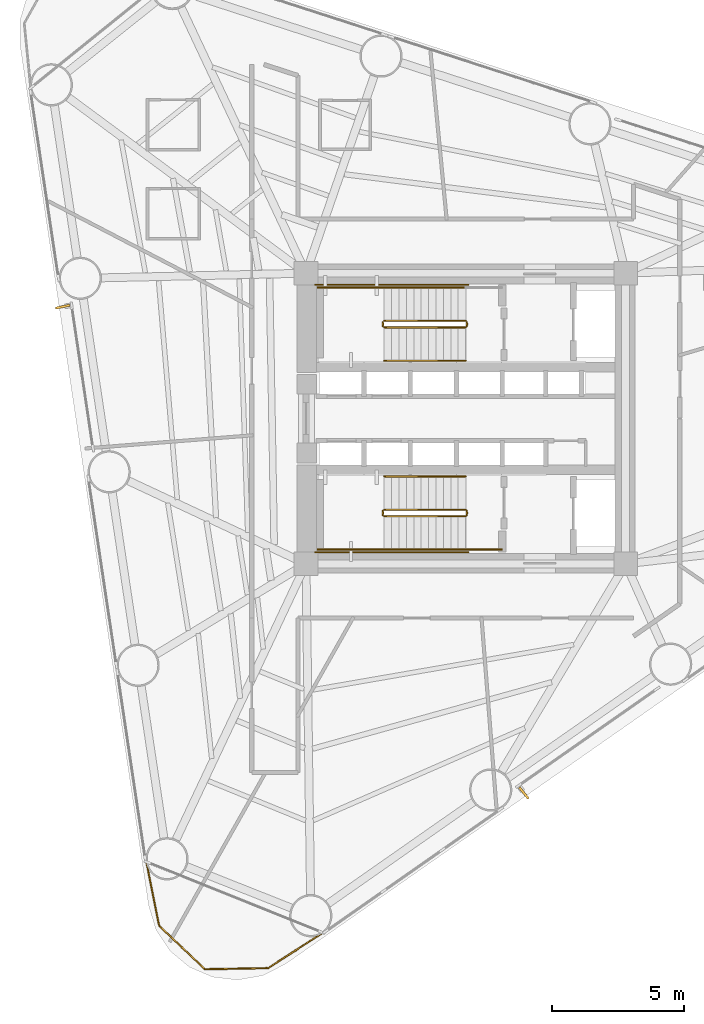
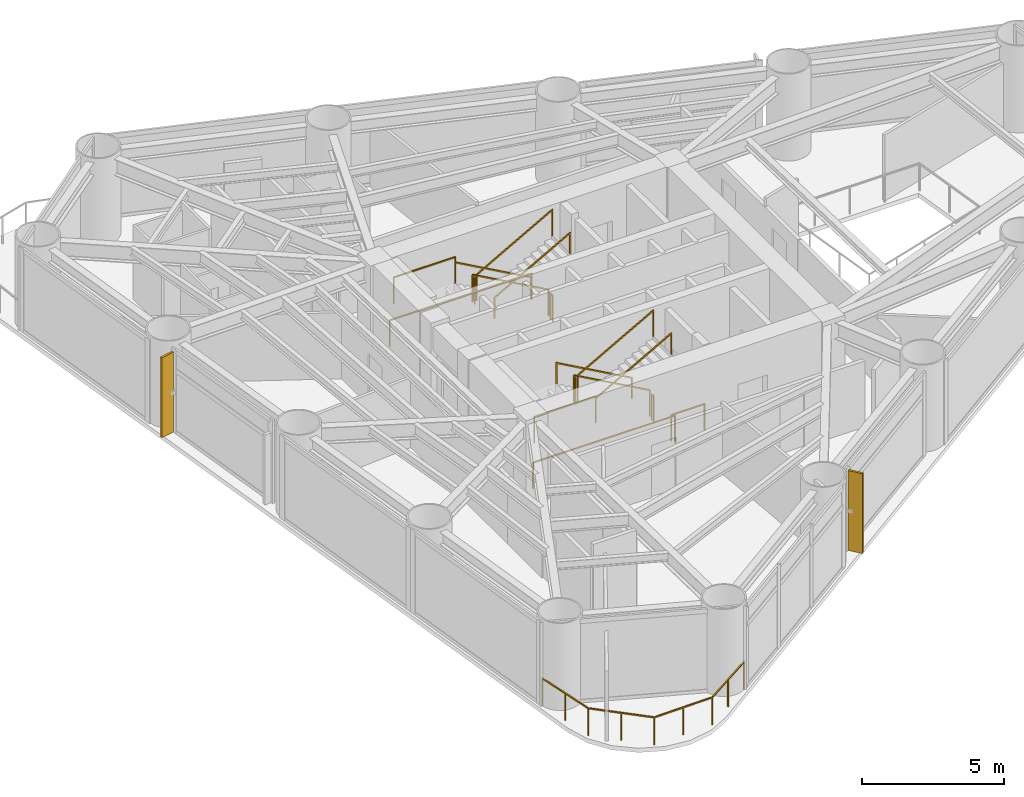
# One storey, part 8 of 9: 18 railings, 2 shading devices.
"""IFC4 building model written with IfcOpenShell, lengths in metres."""

from ifc_helpers import new_model, si_unit, direction, frame, origin, origin_2d, place, context, subcontext, project, spatial, rectangle, extrude, source, transform, mapped, material, material_profile, profile_set, type_object, element, save


model = new_model("IFC4")

# Units and contexts
model_context = context("Model", 3, precision=1e-05, world=origin(), true_north=direction((0.0, 1.0)))
body_context = subcontext(model_context, "Body", "Model", "MODEL_VIEW")
ifc_project = project(units=[si_unit("LENGTHUNIT", "METRE"), si_unit("AREAUNIT", "SQUARE_METRE"), si_unit("VOLUMEUNIT", "CUBIC_METRE"), si_unit("PLANEANGLEUNIT", "RADIAN"), si_unit("MASSUNIT", "GRAM", prefix="KILO")], contexts=[model_context])

# Site, building, storey
site_placement = place(None, origin())
site = spatial("IfcSite", under=ifc_project, at=site_placement, CompositionType="ELEMENT")
building_placement = place(site_placement, origin())
building = spatial("IfcBuilding", under=site, at=building_placement, Name="Yunling Apex Tower", CompositionType="ELEMENT")
storey_placement = place(building_placement, frame((0.0, 0.0, 69.800048828125)))
storey = spatial("IfcBuildingStorey", under=building, at=storey_placement, Name="L18", CompositionType="ELEMENT", Elevation=69.800048828125)

# Railings
ifc_material_1 = material(Name="Bronze anodised aluminium", Category="aluminium")
railing_type_1 = type_object("IfcRailingType", Name="RL-BAL-1200", PredefinedType="BALUSTRADE", material=ifc_material_1)
railing_1_placement = place(storey_placement, frame((-5.41552734375, -19.466796875, 0.0)))
element("IfcRailing", 1, at=railing_1_placement, inside=storey, type_object=railing_type_1, Name="RL-CRNSILL-L18-3", PredefinedType="BALUSTRADE", context=body_context, shape_type="SweptSolid", body=[
    extrude(rectangle(XDim=0.0439453125, YDim=0.0439453125, at=origin_2d()), origin(), (0.0, 0.0, 1.0), 1.199951171875),
    extrude(rectangle(XDim=0.0439453125, YDim=0.0439453125, at=origin_2d()), frame((-2.069091796875, -1.3349609375, 0.0)), (0.0, 0.0, 1.0), 1.199951171875),
    extrude(rectangle(XDim=0.050048828125, YDim=0.050048828125, at=origin_2d()), frame((-0.0322265625, -0.020751953125, 1.1748046875), z_axis=(-0.840284992051, -0.542144936464, 0.0), x_axis=(0.542144936464, -0.840284992051, 0.0)), (0.0, 0.0, 1.0), 2.3857421875),
    extrude(rectangle(XDim=0.0439453125, YDim=0.0439453125, at=origin_2d()), frame((-1.03466796875, -0.66748046875, 0.0)), (0.0, 0.0, 1.0), 1.14599609375),
    extrude(rectangle(XDim=0.0439453125, YDim=0.0439453125, at=origin_2d()), frame((-4.456787109375, -1.3779296875, 0.0)), (0.0, 0.0, 1.0), 1.199951171875),
    extrude(rectangle(XDim=0.050048828125, YDim=0.050048828125, at=origin_2d()), frame((-2.107421875, -1.335693359375, 1.1748046875), z_axis=(-0.999838112931, -0.017992996715, 0.0), x_axis=(0.017992996715, -0.999838112931, 0.0)), (0.0, 0.0, 1.0), 2.3115234375),
    extrude(rectangle(XDim=0.0439453125, YDim=0.0439453125, at=origin_2d()), frame((-3.262939453125, -1.3564453125, 0.0)), (0.0, 0.0, 1.0), 1.14599609375),
    extrude(rectangle(XDim=0.0439453125, YDim=0.0439453125, at=origin_2d()), frame((-6.1943359375, 0.271728515625, 0.0)), (0.0, 0.0, 1.0), 1.199951171875),
    extrude(rectangle(XDim=0.050048828125, YDim=0.050048828125, at=origin_2d()), frame((-4.484619140625, -1.3515625, 1.1748046875), z_axis=(-0.725210560755, 0.688527154562, 0.0), x_axis=(-0.688527154562, -0.725210560755, 0.0)), (0.0, 0.0, 1.0), 2.3193359375),
    extrude(rectangle(XDim=0.0439453125, YDim=0.0439453125, at=origin_2d()), frame((-5.32568359375, -0.55322265625, 0.0)), (0.0, 0.0, 1.0), 1.14599609375),
    extrude(rectangle(XDim=0.0439453125, YDim=0.0439453125, at=origin_2d()), frame((-6.6767578125, 2.685302734375, 0.0)), (0.0, 0.0, 1.0), 1.199951171875),
    extrude(rectangle(XDim=0.050048828125, YDim=0.050048828125, at=origin_2d()), frame((-6.201904296875, 0.309326171875, 1.1748046875), z_axis=(-0.196001682493, 0.980603559274, 0.0), x_axis=(-0.980603559274, -0.196001682493, 0.0)), (0.0, 0.0, 1.0), 2.384765625),
    extrude(rectangle(XDim=0.0439453125, YDim=0.0439453125, at=origin_2d()), frame((-6.435546875, 1.478515625, 0.0)), (0.0, 0.0, 1.0), 1.14599609375),
])
ifc_material_2 = material(Name="Steel Q355B", Category="steel")
railing_type_2 = type_object("IfcRailingType", Name="RL-GRD-1150", PredefinedType="GUARDRAIL", material=ifc_material_2)
railing_2_placement = place(storey_placement, frame((-0.010009765625, 3.699951171875, 0.15625)))
element("IfcRailing", 2, at=railing_2_placement, inside=storey, type_object=railing_type_2, Name="L18 ST-1 stair guard 1", PredefinedType="GUARDRAIL", context=body_context, shape_type="SweptSolid", body=[
    extrude(rectangle(XDim=0.0439453125, YDim=0.0439453125, at=origin_2d()), origin(), (0.0, 0.0, 1.0), 1.14990234375),
    extrude(rectangle(XDim=0.0439453125, YDim=0.0439453125, at=origin_2d()), frame((-3.080078125, 0.0, 1.71875)), (0.0, 0.0, 1.0), 1.14990234375),
    extrude(rectangle(XDim=0.050048828125, YDim=0.050048828125, at=origin_2d()), frame((-0.033447265625, 0.0, 1.1435546875), z_axis=(-0.873241540666, 0.0, 0.487287606713), x_axis=(0.0, -1.0, 0.0)), (0.0, 0.0, 1.0), 3.450439453125),
])
railing_3_placement = place(storey_placement, frame((-3.139892578125, 3.64990234375, 1.875)))
element("IfcRailing", 3, at=railing_3_placement, inside=storey, type_object=railing_type_2, Name="L18 ST-1 stair guard 2", PredefinedType="GUARDRAIL", context=body_context, shape_type="SweptSolid", body=[
    extrude(rectangle(XDim=0.0439453125, YDim=0.0439453125, at=origin_2d()), origin(), (0.0, 0.0, 1.0), 1.14990234375),
    extrude(rectangle(XDim=0.0439453125, YDim=0.0439453125, at=origin_2d()), frame((0.0, -0.14990234375, 0.0)), (0.0, 0.0, 1.0), 1.14990234375),
    extrude(rectangle(XDim=0.050048828125, YDim=0.050048828125, at=origin_2d()), frame((0.0, -0.038330078125, 1.125), z_axis=(0.0, -1.0, 0.0), x_axis=(1.0, 0.0, 0.0)), (0.0, 0.0, 1.0), 0.0732421875),
])
railing_4_placement = place(storey_placement, frame((-3.090087890625, 4.9599609375, 1.875)))
element("IfcRailing", 4, at=railing_4_placement, inside=storey, type_object=railing_type_2, Name="L18 ST-1 stair guard 3", PredefinedType="GUARDRAIL", context=body_context, shape_type="SweptSolid", body=[
    extrude(rectangle(XDim=0.0439453125, YDim=0.0439453125, at=origin_2d()), origin(), (0.0, 0.0, 1.0), 1.14990234375),
    extrude(rectangle(XDim=0.0439453125, YDim=0.0439453125, at=origin_2d()), frame((-2.510009765625, 0.0, 0.0)), (0.0, 0.0, 1.0), 1.14990234375),
    extrude(rectangle(XDim=0.050048828125, YDim=0.050048828125, at=origin_2d()), frame((-0.038330078125, 0.0, 1.125), z_axis=(-1.0, 0.0, 0.0), x_axis=(0.0, -1.0, 0.0)), (0.0, 0.0, 1.0), 2.433349609375),
])
railing_5_placement = place(storey_placement, frame((-3.090087890625, 3.449951171875, 2.03125)))
element("IfcRailing", 5, at=railing_5_placement, inside=storey, type_object=railing_type_2, Name="L18 ST-1 stair guard 4", PredefinedType="GUARDRAIL", context=body_context, shape_type="SweptSolid", body=[
    extrude(rectangle(XDim=0.0439453125, YDim=0.0439453125, at=origin_2d()), origin(), (0.0, 0.0, 1.0), 1.14990234375),
    extrude(rectangle(XDim=0.0439453125, YDim=0.0439453125, at=origin_2d()), frame((3.080078125, 0.0, 1.71875)), (0.0, 0.0, 1.0), 1.14990234375),
    extrude(rectangle(XDim=0.050048828125, YDim=0.050048828125, at=origin_2d()), frame((0.033447265625, 0.0, 1.1435546875), z_axis=(0.873241540666, 0.0, 0.487287606713), x_axis=(0.0, 1.0, 0.0)), (0.0, 0.0, 1.0), 3.450439453125),
])
railing_6_placement = place(storey_placement, frame((0.0400390625, 3.64990234375, 0.0)))
element("IfcRailing", 6, at=railing_6_placement, inside=storey, type_object=railing_type_2, Name="L18 ST-1 stair guard 5", PredefinedType="GUARDRAIL", context=body_context, shape_type="SweptSolid", body=[
    extrude(rectangle(XDim=0.0439453125, YDim=0.0439453125, at=origin_2d()), origin(), (0.0, 0.0, 1.0), 1.14990234375),
    extrude(rectangle(XDim=0.0439453125, YDim=0.0439453125, at=origin_2d()), frame((0.0, -0.14990234375, 0.0)), (0.0, 0.0, 1.0), 1.14990234375),
    extrude(rectangle(XDim=0.050048828125, YDim=0.050048828125, at=origin_2d()), frame((0.0, -0.038330078125, 1.125), z_axis=(0.0, -1.0, 0.0), x_axis=(1.0, 0.0, 0.0)), (0.0, 0.0, 1.0), 0.0732421875),
])
railing_7_placement = place(storey_placement, frame((0.090087890625, 5.06005859375, 0.0)))
element("IfcRailing", 7, at=railing_7_placement, inside=storey, type_object=railing_type_2, Name="L18 ST-1 stair guard 7", PredefinedType="GUARDRAIL", context=body_context, shape_type="SweptSolid", body=[
    extrude(rectangle(XDim=0.0439453125, YDim=0.0439453125, at=origin_2d()), origin(), (0.0, 0.0, 1.0), 1.14990234375),
    extrude(rectangle(XDim=0.0439453125, YDim=0.0439453125, at=origin_2d()), frame((-5.7900390625, 0.0, 0.0)), (0.0, 0.0, 1.0), 1.14990234375),
    extrude(rectangle(XDim=0.050048828125, YDim=0.050048828125, at=origin_2d()), frame((-0.038330078125, 0.0, 1.125), z_axis=(-1.0, 0.0, 0.0), x_axis=(0.0, -1.0, 0.0)), (0.0, 0.0, 1.0), 5.71337890625),
])
railing_8_placement = place(storey_placement, frame((-0.010009765625, -3.449951171875, 0.15625)))
element("IfcRailing", 8, at=railing_8_placement, inside=storey, type_object=railing_type_2, Name="L18 ST-2 stair guard 1", PredefinedType="GUARDRAIL", context=body_context, shape_type="SweptSolid", body=[
    extrude(rectangle(XDim=0.0439453125, YDim=0.0439453125, at=origin_2d()), origin(), (0.0, 0.0, 1.0), 1.14990234375),
    extrude(rectangle(XDim=0.0439453125, YDim=0.0439453125, at=origin_2d()), frame((-3.080078125, 0.0, 1.71875)), (0.0, 0.0, 1.0), 1.14990234375),
    extrude(rectangle(XDim=0.050048828125, YDim=0.050048828125, at=origin_2d()), frame((-0.033447265625, 0.0, 1.1435546875), z_axis=(-0.873241540666, 0.0, 0.487287606713), x_axis=(0.0, -1.0, 0.0)), (0.0, 0.0, 1.0), 3.450439453125),
])
railing_9_placement = place(storey_placement, frame((-3.139892578125, -3.5, 1.875)))
element("IfcRailing", 9, at=railing_9_placement, inside=storey, type_object=railing_type_2, Name="L18 ST-2 stair guard 2", PredefinedType="GUARDRAIL", context=body_context, shape_type="SweptSolid", body=[
    extrude(rectangle(XDim=0.0439453125, YDim=0.0439453125, at=origin_2d()), origin(), (0.0, 0.0, 1.0), 1.14990234375),
    extrude(rectangle(XDim=0.0439453125, YDim=0.0439453125, at=origin_2d()), frame((0.0, -0.14990234375, 0.0)), (0.0, 0.0, 1.0), 1.14990234375),
    extrude(rectangle(XDim=0.050048828125, YDim=0.050048828125, at=origin_2d()), frame((0.0, -0.038330078125, 1.125), z_axis=(0.0, -1.0, 0.0), x_axis=(1.0, 0.0, 0.0)), (0.0, 0.0, 1.0), 0.0732421875),
])
railing_10_placement = place(storey_placement, frame((-3.090087890625, -4.9599609375, 1.875)))
element("IfcRailing", 10, at=railing_10_placement, inside=storey, type_object=railing_type_2, Name="L18 ST-2 stair guard 3", PredefinedType="GUARDRAIL", context=body_context, shape_type="SweptSolid", body=[
    extrude(rectangle(XDim=0.0439453125, YDim=0.0439453125, at=origin_2d()), origin(), (0.0, 0.0, 1.0), 1.14990234375),
    extrude(rectangle(XDim=0.0439453125, YDim=0.0439453125, at=origin_2d()), frame((-2.510009765625, 0.0, 0.0)), (0.0, 0.0, 1.0), 1.14990234375),
    extrude(rectangle(XDim=0.050048828125, YDim=0.050048828125, at=origin_2d()), frame((-0.038330078125, 0.0, 1.125), z_axis=(-1.0, 0.0, 0.0), x_axis=(0.0, -1.0, 0.0)), (0.0, 0.0, 1.0), 2.433349609375),
])
railing_11_placement = place(storey_placement, frame((-3.090087890625, -3.699951171875, 2.03125)))
element("IfcRailing", 11, at=railing_11_placement, inside=storey, type_object=railing_type_2, Name="L18 ST-2 stair guard 4", PredefinedType="GUARDRAIL", context=body_context, shape_type="SweptSolid", body=[
    extrude(rectangle(XDim=0.0439453125, YDim=0.0439453125, at=origin_2d()), origin(), (0.0, 0.0, 1.0), 1.14990234375),
    extrude(rectangle(XDim=0.0439453125, YDim=0.0439453125, at=origin_2d()), frame((3.080078125, 0.0, 1.71875)), (0.0, 0.0, 1.0), 1.14990234375),
    extrude(rectangle(XDim=0.050048828125, YDim=0.050048828125, at=origin_2d()), frame((0.033447265625, 0.0, 1.1435546875), z_axis=(0.873241540666, 0.0, 0.487287606713), x_axis=(0.0, 1.0, 0.0)), (0.0, 0.0, 1.0), 3.450439453125),
])
railing_12_placement = place(storey_placement, frame((0.0400390625, -3.5, 0.0)))
element("IfcRailing", 12, at=railing_12_placement, inside=storey, type_object=railing_type_2, Name="L18 ST-2 stair guard 5", PredefinedType="GUARDRAIL", context=body_context, shape_type="SweptSolid", body=[
    extrude(rectangle(XDim=0.0439453125, YDim=0.0439453125, at=origin_2d()), origin(), (0.0, 0.0, 1.0), 1.14990234375),
    extrude(rectangle(XDim=0.0439453125, YDim=0.0439453125, at=origin_2d()), frame((0.0, -0.14990234375, 0.0)), (0.0, 0.0, 1.0), 1.14990234375),
    extrude(rectangle(XDim=0.050048828125, YDim=0.050048828125, at=origin_2d()), frame((0.0, -0.038330078125, 1.125), z_axis=(0.0, -1.0, 0.0), x_axis=(1.0, 0.0, 0.0)), (0.0, 0.0, 1.0), 0.0732421875),
])
railing_13_placement = place(storey_placement, frame((1.35009765625, -4.9599609375, 0.0)))
element("IfcRailing", 13, at=railing_13_placement, inside=storey, type_object=railing_type_2, Name="L18 ST-2 stair guard 6", PredefinedType="GUARDRAIL", context=body_context, shape_type="SweptSolid", body=[
    extrude(rectangle(XDim=0.0439453125, YDim=0.0439453125, at=origin_2d()), origin(), (0.0, 0.0, 1.0), 1.14990234375),
    extrude(rectangle(XDim=0.0439453125, YDim=0.0439453125, at=origin_2d()), frame((-1.360107421875, 0.0, 0.0)), (0.0, 0.0, 1.0), 1.14990234375),
    extrude(rectangle(XDim=0.050048828125, YDim=0.050048828125, at=origin_2d()), frame((-0.038330078125, 0.0, 1.125), z_axis=(-1.0, 0.0, 0.0), x_axis=(0.0, -1.0, 0.0)), (0.0, 0.0, 1.0), 1.283447265625),
])
railing_14_placement = place(storey_placement, frame((0.090087890625, -5.06005859375, 0.0)))
element("IfcRailing", 14, at=railing_14_placement, inside=storey, type_object=railing_type_2, Name="L18 ST-2 stair guard 7", PredefinedType="GUARDRAIL", context=body_context, shape_type="SweptSolid", body=[
    extrude(rectangle(XDim=0.0439453125, YDim=0.0439453125, at=origin_2d()), origin(), (0.0, 0.0, 1.0), 1.14990234375),
    extrude(rectangle(XDim=0.0439453125, YDim=0.0439453125, at=origin_2d()), frame((-5.7900390625, 0.0, 0.0)), (0.0, 0.0, 1.0), 1.14990234375),
    extrude(rectangle(XDim=0.050048828125, YDim=0.050048828125, at=origin_2d()), frame((-0.038330078125, 0.0, 1.125), z_axis=(-1.0, 0.0, 0.0), x_axis=(0.0, -1.0, 0.0)), (0.0, 0.0, 1.0), 5.71337890625),
])
ifc_material_3 = material(Name="Silver anodised aluminium", Category="aluminium")
railing_type_3 = type_object("IfcRailingType", Name="RL-HND-900", PredefinedType="HANDRAIL", material=ifc_material_3)
railing_15_placement = place(storey_placement, frame((-0.010009765625, 4.9599609375, 0.15625)))
element("IfcRailing", 15, at=railing_15_placement, inside=storey, type_object=railing_type_3, Name="L18 ST-1 stair handrail 1", PredefinedType="HANDRAIL", context=body_context, shape_type="SweptSolid", body=[
    extrude(rectangle(XDim=0.0439453125, YDim=0.0439453125, at=origin_2d()), origin(), (0.0, 0.0, 1.0), 0.919921875),
    extrude(rectangle(XDim=0.0439453125, YDim=0.0439453125, at=origin_2d()), frame((-3.080078125, 0.0, 1.71875)), (0.0, 0.0, 1.0), 0.919921875),
    extrude(rectangle(XDim=0.050048828125, YDim=0.050048828125, at=origin_2d()), frame((-0.033447265625, 0.0, 0.91357421875), z_axis=(-0.873241540666, 0.0, 0.487287606713), x_axis=(0.0, -1.0, 0.0)), (0.0, 0.0, 1.0), 3.450439453125),
])
railing_16_placement = place(storey_placement, frame((-3.090087890625, 2.18994140625, 2.03125)))
element("IfcRailing", 16, at=railing_16_placement, inside=storey, type_object=railing_type_3, Name="L18 ST-1 stair handrail 2", PredefinedType="HANDRAIL", context=body_context, shape_type="SweptSolid", body=[
    extrude(rectangle(XDim=0.0439453125, YDim=0.0439453125, at=origin_2d()), origin(), (0.0, 0.0, 1.0), 0.919921875),
    extrude(rectangle(XDim=0.0439453125, YDim=0.0439453125, at=origin_2d()), frame((3.080078125, 0.0, 1.71875)), (0.0, 0.0, 1.0), 0.919921875),
    extrude(rectangle(XDim=0.050048828125, YDim=0.050048828125, at=origin_2d()), frame((0.033447265625, 0.0, 0.91357421875), z_axis=(0.873241540666, 0.0, 0.487287606713), x_axis=(0.0, 1.0, 0.0)), (0.0, 0.0, 1.0), 3.450439453125),
])
railing_17_placement = place(storey_placement, frame((-0.010009765625, -2.18994140625, 0.15625)))
element("IfcRailing", 17, at=railing_17_placement, inside=storey, type_object=railing_type_3, Name="L18 ST-2 stair handrail 1", PredefinedType="HANDRAIL", context=body_context, shape_type="SweptSolid", body=[
    extrude(rectangle(XDim=0.0439453125, YDim=0.0439453125, at=origin_2d()), origin(), (0.0, 0.0, 1.0), 0.919921875),
    extrude(rectangle(XDim=0.0439453125, YDim=0.0439453125, at=origin_2d()), frame((-3.080078125, 0.0, 1.71875)), (0.0, 0.0, 1.0), 0.919921875),
    extrude(rectangle(XDim=0.050048828125, YDim=0.050048828125, at=origin_2d()), frame((-0.033447265625, 0.0, 0.91357421875), z_axis=(-0.873241540666, 0.0, 0.487287606713), x_axis=(0.0, -1.0, 0.0)), (0.0, 0.0, 1.0), 3.450439453125),
])
railing_18_placement = place(storey_placement, frame((-3.090087890625, -4.9599609375, 2.03125)))
element("IfcRailing", 18, at=railing_18_placement, inside=storey, type_object=railing_type_3, Name="L18 ST-2 stair handrail 2", PredefinedType="HANDRAIL", context=body_context, shape_type="SweptSolid", body=[
    extrude(rectangle(XDim=0.0439453125, YDim=0.0439453125, at=origin_2d()), origin(), (0.0, 0.0, 1.0), 0.919921875),
    extrude(rectangle(XDim=0.0439453125, YDim=0.0439453125, at=origin_2d()), frame((3.080078125, 0.0, 1.71875)), (0.0, 0.0, 1.0), 0.919921875),
    extrude(rectangle(XDim=0.050048828125, YDim=0.050048828125, at=origin_2d()), frame((0.033447265625, 0.0, 0.91357421875), z_axis=(0.873241540666, 0.0, 0.487287606713), x_axis=(0.0, 1.0, 0.0)), (0.0, 0.0, 1.0), 3.450439453125),
])

# Shading devices
ifc_material_profile = material_profile(ifc_material_1, rectangle(XDim=0.0849609375, YDim=0.550048828125, at=origin_2d()))
ifc_profile_set = profile_set([ifc_material_profile], Name="Bronze anodised aluminium")
shading_device_type = type_object("IfcShadingDeviceType", Name="FN-BRZ-3", PredefinedType="USERDEFINED", material=ifc_profile_set)
shared_shape = source(origin(), body_context, "Body", "SweptSolid", [
    extrude(rectangle(XDim=0.0849609375, YDim=0.550048828125, at=origin_2d()), origin(), (0.0, 0.0, 1.0), 3.445068359375),
])
for number, where, z_axis, x_axis, name in (
    (19, (2.197509765625, -14.17431640625, 0.06005859375), (0.0, 0.0, 1.0), (0.780321270022, 0.625378857614, 0.0), "CW-L18-F1-B2-FIN-01"),
    (20, (-15.25830078125, 4.233642578125, 0.06005859375), (0.0, 0.0, 1.0), (0.212177672156, -0.977231106463, 0.0), "CW-L18-F3-B2-FIN-01"),
):
    element("IfcShadingDevice", number, at=place(storey_placement, frame(where, z_axis=z_axis, x_axis=x_axis)), inside=storey, type_object=shading_device_type, Name=name, ObjectType="FIN", PredefinedType="USERDEFINED", context=body_context, shape_type="MappedRepresentation", body=[
        mapped(shared_shape, transform((0.0, 0.0, 0.0), scale=1.0)),
    ])

save(model, "model.ifc")
